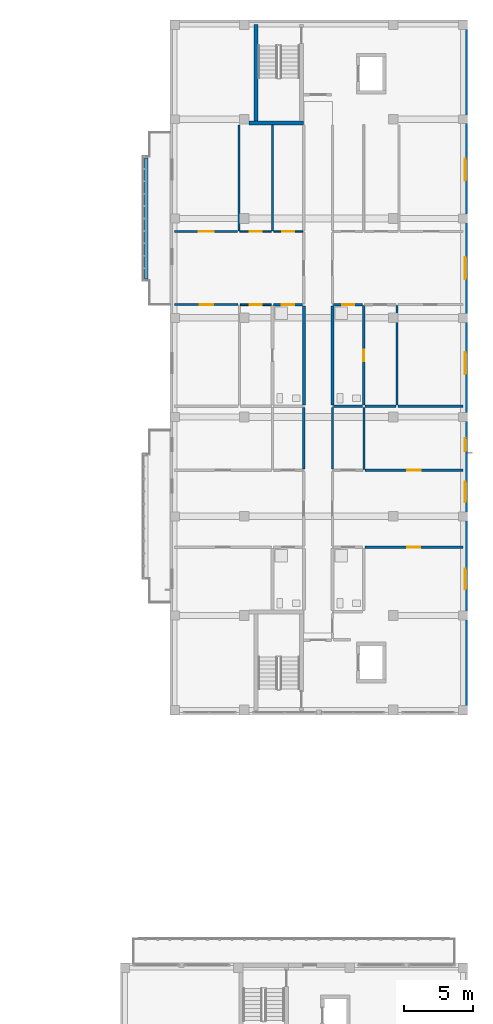
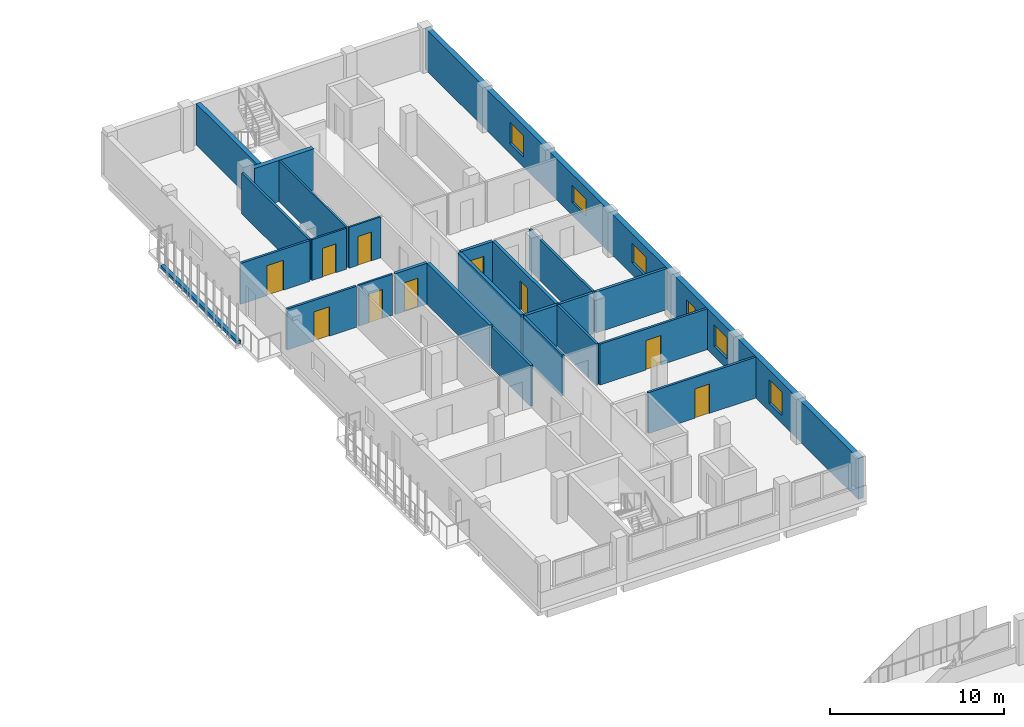
# One storey, part 35 of 51: 25 walls, 10 doors, 6 windows, 16 openings.
"""IFC4 building model written with IfcOpenShell, lengths in metres."""

from ifc_helpers import new_model, si_unit, derived_unit, direction, frame, frame_2d, origin, place, context, subcontext, project, spatial, rectangle, extrude, material, layer, layer_set, type_object, element, fill, save


model = new_model("IFC4")

# Units and contexts
model_context = context("Model", 3, precision=1e-05, world=origin(), true_north=direction((0.0, 1.0)))
body_context = subcontext(model_context, "Body", "Model", "MODEL_VIEW")
ifc_project = project(units=[si_unit("LENGTHUNIT", "METRE"), si_unit("AREAUNIT", "SQUARE_METRE"), si_unit("VOLUMEUNIT", "CUBIC_METRE"), si_unit("PLANEANGLEUNIT", "RADIAN"), si_unit("MASSUNIT", "GRAM", prefix="KILO"), derived_unit("THERMALTRANSMITTANCEUNIT", [(si_unit("MASSUNIT", "GRAM", prefix="KILO"), 1), (si_unit("TIMEUNIT", "SECOND"), -3), (si_unit("THERMODYNAMICTEMPERATUREUNIT", "KELVIN"), -1)])], contexts=[model_context])

# Site, building, storey
site_placement = place(None, origin())
site = spatial("IfcSite", under=ifc_project, at=site_placement, CompositionType="ELEMENT")
building_placement = place(site_placement, origin())
building = spatial("IfcBuilding", under=site, at=building_placement, Name="Ochrekiln Boulevard Commons", CompositionType="ELEMENT")
storey_placement = place(building_placement, frame((0.0, 0.0, 15.22509765625)))
storey = spatial("IfcBuildingStorey", under=building, at=storey_placement, Name="L04", CompositionType="ELEMENT", Elevation=15.22509765625)

# Wall, openings, windows
ifc_material_1 = material(Name="Iron-spot brown clinker brick masonry ASTM C216 Grade SW", Category="masonry")
ifc_layer_1 = layer(ifc_material_1, 0.340087890625)
ifc_layer_set_1 = layer_set([ifc_layer_1], Name="Iron-spot brown clinker brick masonry ASTM C216 Grade SW")
wall_type_1 = type_object("IfcWallType", Name="WL-EXT-IRON-340", PredefinedType="SOLIDWALL", material=ifc_layer_set_1)
wall_1_placement = place(storey_placement, frame((172.6298828125, 68.739990234375, 0.0), z_axis=(0.0, 0.0, 1.0), x_axis=(0.0, 1.0, 0.0)))
wall_1 = element("IfcWall", 1, at=wall_1_placement, inside=storey, type_object=wall_type_1, Name="Block B L04 E Exterior Wall", PredefinedType="SOLIDWALL", context=body_context, shape_type="SweptSolid", body=[
    extrude(rectangle(XDim=49.719970703125, YDim=0.340087890625, at=frame_2d((24.85986328125, 0.0))), origin(), (0.0, 0.0, 1.0), 2.889892578125),
])
opening_1_placement = place(wall_1_placement, frame((15.0849609375, 0.0, 0.705078125)))
opening_1 = element("IfcOpeningElement", 2, at=opening_1_placement, cuts=wall_1, Name="Opening W-28", PredefinedType="OPENING", context=body_context, shape_type="SweptSolid", body=[
    extrude(rectangle(XDim=1.47998046875, YDim=1.5, at=frame_2d((0.739990234375, 0.75))), frame((0.0, 0.179931640625, 0.0), z_axis=(0.0, -1.0, 0.0), x_axis=(1.0, 0.0, 0.0)), (0.0, 0.0, 1.0), 0.360107421875),
])
opening_2_placement = place(wall_1_placement, frame((8.758056640625, 0.0, 0.554931640625)))
opening_2 = element("IfcOpeningElement", 3, at=opening_2_placement, cuts=wall_1, Name="Opening W-29", PredefinedType="OPENING", context=body_context, shape_type="SweptSolid", body=[
    extrude(rectangle(XDim=1.47998046875, YDim=1.64990234375, at=frame_2d((0.739990234375, 0.824951171875))), frame((0.0, 0.179931640625, 0.0), z_axis=(0.0, -1.0, 0.0), x_axis=(1.0, 0.0, 0.0)), (0.0, 0.0, 1.0), 0.360107421875),
])
opening_3_placement = place(wall_1_placement, frame((18.760009765625, 0.0, 0.85009765625)))
opening_3 = element("IfcOpeningElement", 4, at=opening_3_placement, cuts=wall_1, Name="Opening W-01", PredefinedType="OPENING", context=body_context, shape_type="SweptSolid", body=[
    extrude(rectangle(XDim=0.949951171875, YDim=1.199951171875, at=frame_2d((0.47509765625, 0.60009765625))), frame((0.0, 0.179931640625, 0.0), z_axis=(0.0, -1.0, 0.0), x_axis=(1.0, 0.0, 0.0)), (0.0, 0.0, 1.0), 0.360107421875),
])
opening_4_placement = place(wall_1_placement, frame((31.260009765625, 0.0, 0.89990234375)))
opening_4 = element("IfcOpeningElement", 5, at=opening_4_placement, cuts=wall_1, Name="Opening W-31", PredefinedType="OPENING", context=body_context, shape_type="SweptSolid", body=[
    extrude(rectangle(XDim=1.60009765625, YDim=1.199951171875, at=frame_2d((0.800048828125, 0.60009765625))), frame((0.0, 0.179931640625, 0.0), z_axis=(0.0, -1.0, 0.0), x_axis=(1.0, 0.0, 0.0)), (0.0, 0.0, 1.0), 0.360107421875),
])
opening_5_placement = place(wall_1_placement, frame((24.362060546875, 0.0, 0.85498046875)))
opening_5 = element("IfcOpeningElement", 6, at=opening_5_placement, cuts=wall_1, Name="Opening W-32", PredefinedType="OPENING", context=body_context, shape_type="SweptSolid", body=[
    extrude(rectangle(XDim=1.60009765625, YDim=1.35009765625, at=frame_2d((0.800048828125, 0.675048828125))), frame((0.0, 0.179931640625, 0.0), z_axis=(0.0, -1.0, 0.0), x_axis=(1.0, 0.0, 0.0)), (0.0, 0.0, 1.0), 0.360107421875),
])
opening_6_placement = place(wall_1_placement, frame((38.39501953125, 0.0, 0.705078125)))
opening_6 = element("IfcOpeningElement", 7, at=opening_6_placement, cuts=wall_1, Name="Opening W-33", PredefinedType="OPENING", context=body_context, shape_type="SweptSolid", body=[
    extrude(rectangle(XDim=1.60009765625, YDim=1.5, at=frame_2d((0.800048828125, 0.75))), frame((0.0, 0.179931640625, 0.0), z_axis=(0.0, -1.0, 0.0), x_axis=(1.0, 0.0, 0.0)), (0.0, 0.0, 1.0), 0.360107421875),
])
ifc_material_2 = material(Name="Thermally broken aluminium-clad oak frame", Category="aluminium")
window_type_1 = type_object("IfcWindowType", Name="WIN-EXT-01", PartitioningType="SINGLE_PANEL", PredefinedType="WINDOW", material=ifc_material_2)
window_1_placement = place(opening_3_placement, origin())
window_1 = element("IfcWindow", 8, at=window_1_placement, inside=storey, type_object=window_type_1, Name="Block B L04 Punched Masonry Window W-01", OverallHeight=1.199951171875, OverallWidth=0.949951171875, PartitioningType="SINGLE_PANEL", PredefinedType="WINDOW", context=body_context, shape_type="SweptSolid", body=[
    extrude(rectangle(XDim=0.949951171875, YDim=1.199951171875, at=frame_2d((0.47509765625, 0.60009765625))), frame((0.0, 0.030029296875, 0.0), z_axis=(0.0, -1.0, 0.0), x_axis=(1.0, 0.0, 0.0)), (0.0, 0.0, 1.0), 0.06005859375),
])
fill(opening_3, window_1)
window_type_2 = type_object("IfcWindowType", Name="WIN-EXT-28", PartitioningType="SINGLE_PANEL", PredefinedType="WINDOW", material=ifc_material_2)
window_2_placement = place(opening_1_placement, origin())
window_2 = element("IfcWindow", 9, at=window_2_placement, inside=storey, type_object=window_type_2, Name="Block B L04 Punched Masonry Window W-28", OverallHeight=1.5, OverallWidth=1.47998046875, PartitioningType="SINGLE_PANEL", PredefinedType="WINDOW", context=body_context, shape_type="SweptSolid", body=[
    extrude(rectangle(XDim=1.47998046875, YDim=1.5, at=frame_2d((0.739990234375, 0.75))), frame((0.0, 0.030029296875, 0.0), z_axis=(0.0, -1.0, 0.0), x_axis=(1.0, 0.0, 0.0)), (0.0, 0.0, 1.0), 0.06005859375),
])
fill(opening_1, window_2)
window_type_3 = type_object("IfcWindowType", Name="WIN-EXT-29", PartitioningType="SINGLE_PANEL", PredefinedType="WINDOW", material=ifc_material_2)
window_3_placement = place(opening_2_placement, origin())
window_3 = element("IfcWindow", 10, at=window_3_placement, inside=storey, type_object=window_type_3, Name="Block B L04 Punched Masonry Window W-29", OverallHeight=1.64990234375, OverallWidth=1.47998046875, PartitioningType="SINGLE_PANEL", PredefinedType="WINDOW", context=body_context, shape_type="SweptSolid", body=[
    extrude(rectangle(XDim=1.47998046875, YDim=1.64990234375, at=frame_2d((0.739990234375, 0.824951171875))), frame((0.0, 0.030029296875, 0.0), z_axis=(0.0, -1.0, 0.0), x_axis=(1.0, 0.0, 0.0)), (0.0, 0.0, 1.0), 0.06005859375),
])
fill(opening_2, window_3)
window_type_4 = type_object("IfcWindowType", Name="WIN-EXT-31", PartitioningType="DOUBLE_PANEL_VERTICAL", PredefinedType="WINDOW", material=ifc_material_2)
window_4_placement = place(opening_4_placement, origin())
window_4 = element("IfcWindow", 11, at=window_4_placement, inside=storey, type_object=window_type_4, Name="Block B L04 Punched Masonry Window W-31", OverallHeight=1.199951171875, OverallWidth=1.60009765625, PartitioningType="DOUBLE_PANEL_VERTICAL", PredefinedType="WINDOW", context=body_context, shape_type="SweptSolid", body=[
    extrude(rectangle(XDim=1.60009765625, YDim=1.199951171875, at=frame_2d((0.800048828125, 0.60009765625))), frame((0.0, 0.030029296875, 0.0), z_axis=(0.0, -1.0, 0.0), x_axis=(1.0, 0.0, 0.0)), (0.0, 0.0, 1.0), 0.06005859375),
])
fill(opening_4, window_4)
window_type_5 = type_object("IfcWindowType", Name="WIN-EXT-32", PartitioningType="DOUBLE_PANEL_VERTICAL", PredefinedType="WINDOW", material=ifc_material_2)
window_5_placement = place(opening_5_placement, origin())
window_5 = element("IfcWindow", 12, at=window_5_placement, inside=storey, type_object=window_type_5, Name="Block B L04 Punched Masonry Window W-32", OverallHeight=1.35009765625, OverallWidth=1.60009765625, PartitioningType="DOUBLE_PANEL_VERTICAL", PredefinedType="WINDOW", context=body_context, shape_type="SweptSolid", body=[
    extrude(rectangle(XDim=1.60009765625, YDim=1.35009765625, at=frame_2d((0.800048828125, 0.675048828125))), frame((0.0, 0.030029296875, 0.0), z_axis=(0.0, -1.0, 0.0), x_axis=(1.0, 0.0, 0.0)), (0.0, 0.0, 1.0), 0.06005859375),
])
fill(opening_5, window_5)
window_type_6 = type_object("IfcWindowType", Name="WIN-EXT-33", PartitioningType="DOUBLE_PANEL_VERTICAL", PredefinedType="WINDOW", material=ifc_material_2)
window_6_placement = place(opening_6_placement, origin())
window_6 = element("IfcWindow", 13, at=window_6_placement, inside=storey, type_object=window_type_6, Name="Block B L04 Punched Masonry Window W-33", OverallHeight=1.5, OverallWidth=1.60009765625, PartitioningType="DOUBLE_PANEL_VERTICAL", PredefinedType="WINDOW", context=body_context, shape_type="SweptSolid", body=[
    extrude(rectangle(XDim=1.60009765625, YDim=1.5, at=frame_2d((0.800048828125, 0.75))), frame((0.0, 0.030029296875, 0.0), z_axis=(0.0, -1.0, 0.0), x_axis=(1.0, 0.0, 0.0)), (0.0, 0.0, 1.0), 0.06005859375),
])
fill(opening_6, window_6)

# Wall, opening, door
ifc_material_3 = material(Name="Moisture-resistant cementitious tile backer wall")
ifc_layer_2 = layer(ifc_material_3, 0.199951171875)
ifc_layer_set_2 = layer_set([ifc_layer_2], Name="Moisture-resistant cementitious tile backer wall")
wall_type_2 = type_object("IfcWallType", Name="WL-PLM-200", PredefinedType="PLUMBINGWALL", material=ifc_layer_set_2)
wall_2_placement = place(storey_placement, frame((158.719970703125, 98.14990234375, 0.0), z_axis=(0.0, 0.0, 1.0), x_axis=(1.0, 0.0, 0.0)))
wall_2 = element("IfcWall", 14, at=wall_2_placement, inside=storey, type_object=wall_type_2, Name="L04 Interior Wall W-PW200", PredefinedType="PLUMBINGWALL", context=body_context, shape_type="SweptSolid", body=[
    extrude(rectangle(XDim=2.10693359375, YDim=0.199951171875, at=frame_2d((1.053466796875, 0.0))), origin(), (0.0, 0.0, 1.0), 2.869873046875),
])
opening_7_placement = place(wall_2_placement, frame((0.60498046875, 0.0, 0.0)))
opening_7 = element("IfcOpeningElement", 15, at=opening_7_placement, cuts=wall_2, Name="Opening D-L04-595", PredefinedType="OPENING", context=body_context, shape_type="SweptSolid", body=[
    extrude(rectangle(XDim=0.889892578125, YDim=2.030029296875, at=frame_2d((0.44482421875, 1.01513671875))), frame((0.0, 0.10986328125, 0.0), z_axis=(0.0, -1.0, 0.0), x_axis=(1.0, 0.0, 0.0)), (0.0, 0.0, 1.0), 0.219970703125),
])
ifc_material_4 = material(Name="Solid core architectural oak door leaf")
door_type_1 = type_object("IfcDoorType", Name="DR-INT-BTH-089", OperationType="NOTDEFINED", PredefinedType="DOOR", material=ifc_material_4)
door_1_placement = place(opening_7_placement, frame((0.889892578125, 0.0, 0.0), z_axis=(0.0, 0.0, 1.0), x_axis=(-1.0, 0.0, 0.0)))
door_1 = element("IfcDoor", 16, at=door_1_placement, inside=storey, type_object=door_type_1, Name="L04 Interior Door to Apartment Bathroom", OperationType="SINGLE_SWING_LEFT", OverallHeight=2.030029296875, OverallWidth=0.889892578125, PredefinedType="DOOR", context=body_context, shape_type="SweptSolid", body=[
    extrude(rectangle(XDim=0.889892578125, YDim=2.030029296875, at=frame_2d((0.44482421875, 1.01513671875))), frame((0.0, 0.02490234375, 0.0), z_axis=(0.0, -1.0, 0.0), x_axis=(1.0, 0.0, 0.0)), (0.0, 0.0, 1.0), 0.050048828125),
])
fill(opening_7, door_1)

# Wall
wall_3_placement = place(storey_placement, frame((163.072998046875, 90.783935546875, 0.0), z_axis=(0.0, 0.0, 1.0), x_axis=(1.0, 0.0, 0.0)))
element("IfcWall", 17, at=wall_3_placement, inside=storey, type_object=wall_type_2, Name="L04 Interior Wall W-PW200", PredefinedType="PLUMBINGWALL", context=body_context, shape_type="SweptSolid", body=[
    extrude(rectangle(XDim=2.10693359375, YDim=0.199951171875, at=frame_2d((1.053466796875, 0.0))), origin(), (0.0, 0.0, 1.0), 2.869873046875),
])

# Wall, opening, door
wall_4_placement = place(storey_placement, frame((163.072998046875, 98.14990234375, 0.0), z_axis=(0.0, 0.0, 1.0), x_axis=(1.0, 0.0, 0.0)))
wall_4 = element("IfcWall", 18, at=wall_4_placement, inside=storey, type_object=wall_type_2, Name="L04 Interior Wall W-PW200", PredefinedType="PLUMBINGWALL", context=body_context, shape_type="SweptSolid", body=[
    extrude(rectangle(XDim=2.10693359375, YDim=0.199951171875, at=frame_2d((1.053466796875, 0.0))), origin(), (0.0, 0.0, 1.0), 2.869873046875),
])
opening_8_placement = place(wall_4_placement, frame((0.612060546875, 0.0, 0.0)))
opening_8 = element("IfcOpeningElement", 19, at=opening_8_placement, cuts=wall_4, Name="Opening D-L04-606", PredefinedType="OPENING", context=body_context, shape_type="SweptSolid", body=[
    extrude(rectangle(XDim=0.889892578125, YDim=2.030029296875, at=frame_2d((0.44482421875, 1.01513671875))), frame((0.0, 0.10986328125, 0.0), z_axis=(0.0, -1.0, 0.0), x_axis=(1.0, 0.0, 0.0)), (0.0, 0.0, 1.0), 0.219970703125),
])
door_2_placement = place(opening_8_placement, frame((0.889892578125, 0.0, 0.0), z_axis=(0.0, 0.0, 1.0), x_axis=(-1.0, 0.0, 0.0)))
door_2 = element("IfcDoor", 20, at=door_2_placement, inside=storey, type_object=door_type_1, Name="L04 Interior Door to Apartment Bathroom", OperationType="SINGLE_SWING_RIGHT", OverallHeight=2.030029296875, OverallWidth=0.889892578125, PredefinedType="DOOR", context=body_context, shape_type="SweptSolid", body=[
    extrude(rectangle(XDim=0.889892578125, YDim=2.030029296875, at=frame_2d((0.44482421875, 1.01513671875))), frame((0.0, 0.02490234375, 0.0), z_axis=(0.0, -1.0, 0.0), x_axis=(1.0, 0.0, 0.0)), (0.0, 0.0, 1.0), 0.050048828125),
])
fill(opening_8, door_2)

wall_5_placement = place(storey_placement, frame((165.260009765625, 90.8740234375, 0.0), z_axis=(0.0, 0.0, 1.0), x_axis=(0.0, 1.0, 0.0)))
wall_5 = element("IfcWall", 21, at=wall_5_placement, inside=storey, type_object=wall_type_2, Name="L04 Interior Wall W-PW200", PredefinedType="PLUMBINGWALL", context=body_context, shape_type="SweptSolid", body=[
    extrude(rectangle(XDim=7.216064453125, YDim=0.199951171875, at=frame_2d((3.60791015625, 0.0))), origin(), (0.0, 0.0, 1.0), 2.869873046875),
])
opening_9_placement = place(wall_5_placement, frame((3.173095703125, 0.0, 0.0)))
opening_9 = element("IfcOpeningElement", 22, at=opening_9_placement, cuts=wall_5, Name="Opening D-L04-612", PredefinedType="OPENING", context=body_context, shape_type="SweptSolid", body=[
    extrude(rectangle(XDim=0.85009765625, YDim=2.010009765625, at=frame_2d((0.425048828125, 1.0048828125))), frame((0.0, 0.10986328125, 0.0), z_axis=(0.0, -1.0, 0.0), x_axis=(1.0, 0.0, 0.0)), (0.0, 0.0, 1.0), 0.219970703125),
])
door_type_2 = type_object("IfcDoorType", Name="DR-INT-KIT-085", OperationType="NOTDEFINED", PredefinedType="DOOR", material=ifc_material_4)
door_3_placement = place(opening_9_placement, origin())
door_3 = element("IfcDoor", 23, at=door_3_placement, inside=storey, type_object=door_type_2, Name="L04 Interior Door to Apartment Bathroom", OperationType="SINGLE_SWING_RIGHT", OverallHeight=2.010009765625, OverallWidth=0.85009765625, PredefinedType="DOOR", context=body_context, shape_type="SweptSolid", body=[
    extrude(rectangle(XDim=0.85009765625, YDim=2.010009765625, at=frame_2d((0.425048828125, 1.0048828125))), frame((0.0, 0.02490234375, 0.0), z_axis=(0.0, -1.0, 0.0), x_axis=(1.0, 0.0, 0.0)), (0.0, 0.0, 1.0), 0.050048828125),
])
fill(opening_9, door_3)

# Walls
ifc_layer_3 = layer(ifc_material_3, 0.219970703125)
ifc_layer_set_3 = layer_set([ifc_layer_3], Name="Moisture-resistant cementitious tile backer wall")
wall_type_3 = type_object("IfcWallType", Name="WL-PLM-220", PredefinedType="PLUMBINGWALL", material=ifc_layer_set_3)
for number, where, z_axis, x_axis, name in (
    (24, (160.909912109375, 90.8740234375, 0.0), (0.0, 0.0, 1.0), (0.0, 1.0, 0.0), "L04 Interior Wall W-PW220"),
    (25, (162.989990234375, 90.8740234375, 0.0), (0.0, 0.0, 1.0), (0.0, 1.0, 0.0), "L04 Interior Wall W-PW220"),
):
    element("IfcWall", number, at=place(storey_placement, frame(where, z_axis=z_axis, x_axis=x_axis)), inside=storey, type_object=wall_type_3, Name=name, PredefinedType="PLUMBINGWALL", context=body_context, shape_type="SweptSolid", body=[
        extrude(rectangle(XDim=7.196044921875, YDim=0.219970703125, at=frame_2d((3.59814453125, 0.0))), origin(), (0.0, 0.0, 1.0), 2.869873046875),
    ])
ifc_material_5 = material(Name="Glazed architectural terracotta ASTM C1405", Category="masonry")
ifc_layer_4 = layer(ifc_material_5, 0.25)
ifc_layer_set_4 = layer_set([ifc_layer_4], Name="Glazed architectural terracotta ASTM C1405")
wall_type_4 = type_object("IfcWallType", Name="WL-PLN-250", PredefinedType="PARAPET", material=ifc_layer_set_4)
wall_6_placement = place(storey_placement, frame((149.47998046875, 100.010009765625, 0.0), z_axis=(0.0, 0.0, 1.0), x_axis=(0.0, 1.0, 0.0)))
element("IfcWall", 26, at=wall_6_placement, inside=storey, type_object=wall_type_4, Name="Block B L04 Balcony Terracotta Planter Box 2", PredefinedType="PARAPET", context=body_context, shape_type="SweptSolid", body=[
    extrude(rectangle(XDim=8.780029296875, YDim=0.25, at=frame_2d((4.39013671875, 0.0))), origin(), (0.0, 0.0, 1.0), 0.22998046875),
])
ifc_material_6 = material(Name="Fire-rated Type X gypsum board on steel studs", Category="steel")
ifc_layer_5 = layer(ifc_material_6, 0.1650390625)
ifc_layer_set_5 = layer_set([ifc_layer_5], Name="Fire-rated Type X gypsum board on steel studs")
wall_type_5 = type_object("IfcWallType", Name="WL-PT-CORR-165", PredefinedType="PARTITIONING", material=ifc_layer_set_5)
for number, where, z_axis, x_axis, name in (
    (27, (160.909912109375, 86.218994140625, 0.0), (0.0, 0.0, 1.0), (0.0, 1.0, 0.0), "L04 Interior Wall W-PC165"),
    (28, (162.989990234375, 86.218994140625, 0.0), (0.0, 0.0, 1.0), (0.0, 1.0, 0.0), "L04 Interior Wall W-PC165"),
):
    element("IfcWall", number, at=place(storey_placement, frame(where, z_axis=z_axis, x_axis=x_axis)), inside=storey, type_object=wall_type_5, Name=name, PredefinedType="PARTITIONING", context=body_context, shape_type="SweptSolid", body=[
        extrude(rectangle(XDim=4.47509765625, YDim=0.1650390625, at=frame_2d((2.237548828125, 0.0))), origin(), (0.0, 0.0, 1.0), 2.869873046875),
    ])
ifc_layer_6 = layer(ifc_material_6, 0.179931640625)
ifc_layer_set_6 = layer_set([ifc_layer_6], Name="Fire-rated Type X gypsum board on steel studs")
wall_type_6 = type_object("IfcWallType", Name="WL-PT-DEM-180", PredefinedType="PARTITIONING", material=ifc_layer_set_6)
wall_7_placement = place(storey_placement, frame((167.75, 90.783935546875, 0.0), z_axis=(0.0, 0.0, 1.0), x_axis=(1.0, 0.0, 0.0)))
element("IfcWall", 29, at=wall_7_placement, inside=storey, type_object=wall_type_6, Name="L04 Interior Wall W-PD180", PredefinedType="PARTITIONING", context=body_context, shape_type="SweptSolid", body=[
    extrude(rectangle(XDim=4.7099609375, YDim=0.179931640625, at=frame_2d((2.35498046875, 0.0))), origin(), (0.0, 0.0, 1.0), 2.869873046875),
])
wall_8_placement = place(storey_placement, frame((165.3349609375, 90.783935546875, 0.0), z_axis=(0.0, 0.0, 1.0), x_axis=(1.0, 0.0, 0.0)))
element("IfcWall", 30, at=wall_8_placement, inside=storey, type_object=wall_type_6, Name="L04 Interior Wall W-PD180", PredefinedType="PARTITIONING", context=body_context, shape_type="SweptSolid", body=[
    extrude(rectangle(XDim=2.255126953125, YDim=0.179931640625, at=frame_2d((1.12744140625, 0.0))), origin(), (0.0, 0.0, 1.0), 2.869873046875),
])

# Wall, opening, door
ifc_layer_7 = layer(ifc_material_6, 0.1201171875)
ifc_layer_set_7 = layer_set([ifc_layer_7], Name="Fire-rated Type X gypsum board on steel studs")
wall_type_7 = type_object("IfcWallType", Name="WL-PT-LGT-120", PredefinedType="PARTITIONING", material=ifc_layer_set_7)
wall_9_placement = place(storey_placement, frame((158.719970703125, 103.449951171875, 0.0), z_axis=(0.0, 0.0, 1.0), x_axis=(1.0, 0.0, 0.0)))
wall_9 = element("IfcWall", 31, at=wall_9_placement, inside=storey, type_object=wall_type_7, Name="L04 Interior Wall W-PL120", PredefinedType="PARTITIONING", context=body_context, shape_type="SweptSolid", body=[
    extrude(rectangle(XDim=2.10693359375, YDim=0.1201171875, at=frame_2d((1.053466796875, 0.0))), origin(), (0.0, 0.0, 1.0), 2.869873046875),
])
opening_10_placement = place(wall_9_placement, frame((0.610107421875, 0.0, 0.0)))
opening_10 = element("IfcOpeningElement", 32, at=opening_10_placement, cuts=wall_9, Name="Opening D-L04-596", PredefinedType="OPENING", context=body_context, shape_type="SweptSolid", body=[
    extrude(rectangle(XDim=0.8798828125, YDim=2.02001953125, at=frame_2d((0.43994140625, 1.010009765625))), frame((0.0, 0.070068359375, 0.0), z_axis=(0.0, -1.0, 0.0), x_axis=(1.0, 0.0, 0.0)), (0.0, 0.0, 1.0), 0.14013671875),
])
door_type_3 = type_object("IfcDoorType", Name="DR-INT-KIT-088", OperationType="NOTDEFINED", PredefinedType="DOOR", material=ifc_material_4)
door_4_placement = place(opening_10_placement, origin())
door_4 = element("IfcDoor", 33, at=door_4_placement, inside=storey, type_object=door_type_3, Name="L04 Interior Door to Apartment Kitchen", OperationType="SINGLE_SWING_RIGHT", OverallHeight=2.02001953125, OverallWidth=0.8798828125, PredefinedType="DOOR", context=body_context, shape_type="SweptSolid", body=[
    extrude(rectangle(XDim=0.8798828125, YDim=2.02001953125, at=frame_2d((0.43994140625, 1.010009765625))), frame((0.0, 0.02490234375, 0.0), z_axis=(0.0, -1.0, 0.0), x_axis=(1.0, 0.0, 0.0)), (0.0, 0.0, 1.0), 0.050048828125),
])
fill(opening_10, door_4)

wall_10_placement = place(storey_placement, frame((156.31005859375, 98.14990234375, 0.0), z_axis=(0.0, 0.0, 1.0), x_axis=(1.0, 0.0, 0.0)))
wall_10 = element("IfcWall", 34, at=wall_10_placement, inside=storey, type_object=wall_type_7, Name="L04 Interior Wall W-PL120", PredefinedType="PARTITIONING", context=body_context, shape_type="SweptSolid", body=[
    extrude(rectangle(XDim=2.25, YDim=0.1201171875, at=frame_2d((1.125, 0.0))), origin(), (0.0, 0.0, 1.0), 2.869873046875),
])
opening_11_placement = place(wall_10_placement, frame((0.68505859375, 0.0, 0.0)))
opening_11 = element("IfcOpeningElement", 35, at=opening_11_placement, cuts=wall_10, Name="Opening D-L04-598", PredefinedType="OPENING", context=body_context, shape_type="SweptSolid", body=[
    extrude(rectangle(XDim=0.8798828125, YDim=2.02001953125, at=frame_2d((0.43994140625, 1.010009765625))), frame((0.0, 0.070068359375, 0.0), z_axis=(0.0, -1.0, 0.0), x_axis=(1.0, 0.0, 0.0)), (0.0, 0.0, 1.0), 0.14013671875),
])
door_5_placement = place(opening_11_placement, frame((0.8798828125, 0.0, 0.0), z_axis=(0.0, 0.0, 1.0), x_axis=(-1.0, 0.0, 0.0)))
door_5 = element("IfcDoor", 36, at=door_5_placement, inside=storey, type_object=door_type_3, Name="L04 Interior Door to Apartment Walk-In Wardrobe", OperationType="SINGLE_SWING_RIGHT", OverallHeight=2.02001953125, OverallWidth=0.8798828125, PredefinedType="DOOR", context=body_context, shape_type="SweptSolid", body=[
    extrude(rectangle(XDim=0.8798828125, YDim=2.02001953125, at=frame_2d((0.43994140625, 1.010009765625))), frame((0.0, 0.02490234375, 0.0), z_axis=(0.0, -1.0, 0.0), x_axis=(1.0, 0.0, 0.0)), (0.0, 0.0, 1.0), 0.050048828125),
])
fill(opening_11, door_5)

wall_11_placement = place(storey_placement, frame((156.27294921875, 103.449951171875, 0.0), z_axis=(0.0, 0.0, 1.0), x_axis=(1.0, 0.0, 0.0)))
wall_11 = element("IfcWall", 37, at=wall_11_placement, inside=storey, type_object=wall_type_7, Name="L04 Interior Wall W-PL120", PredefinedType="PARTITIONING", context=body_context, shape_type="SweptSolid", body=[
    extrude(rectangle(XDim=2.287109375, YDim=0.1201171875, at=frame_2d((1.1435546875, 0.0))), origin(), (0.0, 0.0, 1.0), 2.869873046875),
])
opening_12_placement = place(wall_11_placement, frame((0.702880859375, 0.0, 0.0)))
opening_12 = element("IfcOpeningElement", 38, at=opening_12_placement, cuts=wall_11, Name="Opening D-L04-600", PredefinedType="OPENING", context=body_context, shape_type="SweptSolid", body=[
    extrude(rectangle(XDim=0.8798828125, YDim=2.02001953125, at=frame_2d((0.43994140625, 1.010009765625))), frame((0.0, 0.070068359375, 0.0), z_axis=(0.0, -1.0, 0.0), x_axis=(1.0, 0.0, 0.0)), (0.0, 0.0, 1.0), 0.14013671875),
])
door_6_placement = place(opening_12_placement, origin())
door_6 = element("IfcDoor", 39, at=door_6_placement, inside=storey, type_object=door_type_3, Name="L04 Interior Door to Apartment Walk-In Wardrobe", OperationType="SINGLE_SWING_RIGHT", OverallHeight=2.02001953125, OverallWidth=0.8798828125, PredefinedType="DOOR", context=body_context, shape_type="SweptSolid", body=[
    extrude(rectangle(XDim=0.8798828125, YDim=2.02001953125, at=frame_2d((0.43994140625, 1.010009765625))), frame((0.0, 0.02490234375, 0.0), z_axis=(0.0, -1.0, 0.0), x_axis=(1.0, 0.0, 0.0)), (0.0, 0.0, 1.0), 0.050048828125),
])
fill(opening_12, door_6)

# Wall
wall_12_placement = place(storey_placement, frame((158.639892578125, 103.510009765625, 0.0), z_axis=(0.0, 0.0, 1.0), x_axis=(0.0, 1.0, 0.0)))
element("IfcWall", 40, at=wall_12_placement, inside=storey, type_object=wall_type_7, Name="L04 Interior Wall W-PL120", PredefinedType="PARTITIONING", context=body_context, shape_type="SweptSolid", body=[
    extrude(rectangle(XDim=7.68994140625, YDim=0.1201171875, at=frame_2d((3.844970703125, 0.0))), origin(), (0.0, 0.0, 1.0), 2.869873046875),
])

# Wall, opening, door
ifc_layer_8 = layer(ifc_material_6, 0.14990234375)
ifc_layer_set_8 = layer_set([ifc_layer_8], Name="Fire-rated Type X gypsum board on steel studs")
wall_type_8 = type_object("IfcWallType", Name="WL-PT-STD-150", PredefinedType="PARTITIONING", material=ifc_layer_set_8)
wall_13_placement = place(storey_placement, frame((151.5400390625, 98.14990234375, 0.0), z_axis=(0.0, 0.0, 1.0), x_axis=(1.0, 0.0, 0.0)))
wall_13 = element("IfcWall", 41, at=wall_13_placement, inside=storey, type_object=wall_type_8, Name="L04 Interior Wall W-PS150", PredefinedType="PARTITIONING", context=body_context, shape_type="SweptSolid", body=[
    extrude(rectangle(XDim=4.60986328125, YDim=0.14990234375, at=frame_2d((2.304931640625, 0.0))), origin(), (0.0, 0.0, 1.0), 2.869873046875),
])
opening_13_placement = place(wall_13_placement, frame((1.81005859375, 0.0, 0.0)))
opening_13 = element("IfcOpeningElement", 42, at=opening_13_placement, cuts=wall_13, Name="Opening D-L04-597", PredefinedType="OPENING", context=body_context, shape_type="SweptSolid", body=[
    extrude(rectangle(XDim=1.0, YDim=2.06005859375, at=frame_2d((0.5, 1.030029296875))), frame((0.0, 0.0849609375, 0.0), z_axis=(0.0, -1.0, 0.0), x_axis=(1.0, 0.0, 0.0)), (0.0, 0.0, 1.0), 0.169921875),
])
door_type_4 = type_object("IfcDoorType", Name="DR-INT-BED-100", OperationType="NOTDEFINED", PredefinedType="DOOR", material=ifc_material_4)
door_7_placement = place(opening_13_placement, frame((1.0, 0.0, 0.0), z_axis=(0.0, 0.0, 1.0), x_axis=(-1.0, 0.0, 0.0)))
door_7 = element("IfcDoor", 43, at=door_7_placement, inside=storey, type_object=door_type_4, Name="L04 Interior Door to Primary Apartment Bedroom", OperationType="SINGLE_SWING_LEFT", OverallHeight=2.06005859375, OverallWidth=1.0, PredefinedType="DOOR", context=body_context, shape_type="SweptSolid", body=[
    extrude(rectangle(XDim=1.0, YDim=2.06005859375, at=frame_2d((0.5, 1.030029296875))), frame((0.0, 0.02490234375, 0.0), z_axis=(0.0, -1.0, 0.0), x_axis=(1.0, 0.0, 0.0)), (0.0, 0.0, 1.0), 0.050048828125),
])
fill(opening_13, door_7)

wall_14_placement = place(storey_placement, frame((151.5400390625, 103.449951171875, 0.0), z_axis=(0.0, 0.0, 1.0), x_axis=(1.0, 0.0, 0.0)))
wall_14 = element("IfcWall", 44, at=wall_14_placement, inside=storey, type_object=wall_type_8, Name="L04 Interior Wall W-PS150", PredefinedType="PARTITIONING", context=body_context, shape_type="SweptSolid", body=[
    extrude(rectangle(XDim=4.572998046875, YDim=0.14990234375, at=frame_2d((2.28662109375, 0.0))), origin(), (0.0, 0.0, 1.0), 2.869873046875),
])
opening_14_placement = place(wall_14_placement, frame((1.751953125, 0.0, 0.0)))
opening_14 = element("IfcOpeningElement", 45, at=opening_14_placement, cuts=wall_14, Name="Opening D-L04-599", PredefinedType="OPENING", context=body_context, shape_type="SweptSolid", body=[
    extrude(rectangle(XDim=1.080078125, YDim=2.10009765625, at=frame_2d((0.5400390625, 1.050048828125))), frame((0.0, 0.0849609375, 0.0), z_axis=(0.0, -1.0, 0.0), x_axis=(1.0, 0.0, 0.0)), (0.0, 0.0, 1.0), 0.169921875),
])
door_type_5 = type_object("IfcDoorType", Name="DR-INT-BED-108", OperationType="NOTDEFINED", PredefinedType="DOOR", material=ifc_material_4)
door_8_placement = place(opening_14_placement, origin())
door_8 = element("IfcDoor", 46, at=door_8_placement, inside=storey, type_object=door_type_5, Name="L04 Interior Door to Secondary Apartment Bedroom", OperationType="SINGLE_SWING_LEFT", OverallHeight=2.10009765625, OverallWidth=1.080078125, PredefinedType="DOOR", context=body_context, shape_type="SweptSolid", body=[
    extrude(rectangle(XDim=1.080078125, YDim=2.10009765625, at=frame_2d((0.5400390625, 1.050048828125))), frame((0.0, 0.02490234375, 0.0), z_axis=(0.0, -1.0, 0.0), x_axis=(1.0, 0.0, 0.0)), (0.0, 0.0, 1.0), 0.050048828125),
])
fill(opening_14, door_8)

# Wall
wall_15_placement = place(storey_placement, frame((156.193115234375, 103.510009765625, 0.0), z_axis=(0.0, 0.0, 1.0), x_axis=(0.0, 1.0, 0.0)))
element("IfcWall", 47, at=wall_15_placement, inside=storey, type_object=wall_type_8, Name="L04 Interior Wall W-PS150", PredefinedType="PARTITIONING", context=body_context, shape_type="SweptSolid", body=[
    extrude(rectangle(XDim=7.68994140625, YDim=0.14990234375, at=frame_2d((3.844970703125, 0.0))), origin(), (0.0, 0.0, 1.0), 2.869873046875),
])

# Wall, opening, door
wall_16_placement = place(storey_placement, frame((165.340087890625, 80.554931640625, 0.0), z_axis=(0.0, 0.0, 1.0), x_axis=(1.0, 0.0, 0.0)))
wall_16 = element("IfcWall", 48, at=wall_16_placement, inside=storey, type_object=wall_type_8, Name="L04 Interior Wall W-PS150", PredefinedType="PARTITIONING", context=body_context, shape_type="SweptSolid", body=[
    extrude(rectangle(XDim=7.119873046875, YDim=0.14990234375, at=frame_2d((3.56005859375, 0.0))), origin(), (0.0, 0.0, 1.0), 2.869873046875),
])
opening_15_placement = place(wall_16_placement, frame((3.0849609375, 0.0, 0.0)))
opening_15 = element("IfcOpeningElement", 49, at=opening_15_placement, cuts=wall_16, Name="Opening D-L04-604", PredefinedType="OPENING", context=body_context, shape_type="SweptSolid", body=[
    extrude(rectangle(XDim=0.93994140625, YDim=2.06005859375, at=frame_2d((0.469970703125, 1.030029296875))), frame((0.0, 0.0849609375, 0.0), z_axis=(0.0, -1.0, 0.0), x_axis=(1.0, 0.0, 0.0)), (0.0, 0.0, 1.0), 0.169921875),
])
door_type_6 = type_object("IfcDoorType", Name="DR-INT-BED-094", OperationType="NOTDEFINED", PredefinedType="DOOR", material=ifc_material_4)
door_9_placement = place(opening_15_placement, frame((0.93994140625, 0.0, 0.0), z_axis=(0.0, 0.0, 1.0), x_axis=(-1.0, 0.0, 0.0)))
door_9 = element("IfcDoor", 50, at=door_9_placement, inside=storey, type_object=door_type_6, Name="L04 Interior Door to Primary Apartment Bedroom", OperationType="SINGLE_SWING_RIGHT", OverallHeight=2.06005859375, OverallWidth=0.93994140625, PredefinedType="DOOR", context=body_context, shape_type="SweptSolid", body=[
    extrude(rectangle(XDim=0.93994140625, YDim=2.06005859375, at=frame_2d((0.469970703125, 1.030029296875))), frame((0.0, 0.02490234375, 0.0), z_axis=(0.0, -1.0, 0.0), x_axis=(1.0, 0.0, 0.0)), (0.0, 0.0, 1.0), 0.050048828125),
])
fill(opening_15, door_9)

wall_17_placement = place(storey_placement, frame((165.340087890625, 86.138916015625, 0.0), z_axis=(0.0, 0.0, 1.0), x_axis=(1.0, 0.0, 0.0)))
wall_17 = element("IfcWall", 51, at=wall_17_placement, inside=storey, type_object=wall_type_8, Name="L04 Interior Wall W-PS150", PredefinedType="PARTITIONING", context=body_context, shape_type="SweptSolid", body=[
    extrude(rectangle(XDim=7.119873046875, YDim=0.14990234375, at=frame_2d((3.56005859375, 0.0))), origin(), (0.0, 0.0, 1.0), 2.869873046875),
])
opening_16_placement = place(wall_17_placement, frame((3.054931640625, 0.0, 0.0)))
opening_16 = element("IfcOpeningElement", 52, at=opening_16_placement, cuts=wall_17, Name="Opening D-L04-605", PredefinedType="OPENING", context=body_context, shape_type="SweptSolid", body=[
    extrude(rectangle(XDim=1.0, YDim=2.06005859375, at=frame_2d((0.5, 1.030029296875))), frame((0.0, 0.0849609375, 0.0), z_axis=(0.0, -1.0, 0.0), x_axis=(1.0, 0.0, 0.0)), (0.0, 0.0, 1.0), 0.169921875),
])
door_10_placement = place(opening_16_placement, origin())
door_10 = element("IfcDoor", 53, at=door_10_placement, inside=storey, type_object=door_type_4, Name="L04 Interior Door to Secondary Apartment Bedroom", OperationType="SINGLE_SWING_LEFT", OverallHeight=2.06005859375, OverallWidth=1.0, PredefinedType="DOOR", context=body_context, shape_type="SweptSolid", body=[
    extrude(rectangle(XDim=1.0, YDim=2.06005859375, at=frame_2d((0.5, 1.030029296875))), frame((0.0, 0.02490234375, 0.0), z_axis=(0.0, -1.0, 0.0), x_axis=(1.0, 0.0, 0.0)), (0.0, 0.0, 1.0), 0.050048828125),
])
fill(opening_16, door_10)

# Walls
wall_18_placement = place(storey_placement, frame((165.260009765625, 86.198974609375, 0.0), z_axis=(0.0, 0.0, 1.0), x_axis=(0.0, 1.0, 0.0)))
element("IfcWall", 54, at=wall_18_placement, inside=storey, type_object=wall_type_8, Name="L04 Interior Wall W-PS150", PredefinedType="PARTITIONING", context=body_context, shape_type="SweptSolid", body=[
    extrude(rectangle(XDim=4.4951171875, YDim=0.14990234375, at=frame_2d((2.24755859375, 0.0))), origin(), (0.0, 0.0, 1.0), 2.869873046875),
])
wall_19_placement = place(storey_placement, frame((167.669921875, 90.8740234375, 0.0), z_axis=(0.0, 0.0, 1.0), x_axis=(0.0, 1.0, 0.0)))
element("IfcWall", 55, at=wall_19_placement, inside=storey, type_object=wall_type_8, Name="L04 Interior Wall W-PS150", PredefinedType="PARTITIONING", context=body_context, shape_type="SweptSolid", body=[
    extrude(rectangle(XDim=7.200927734375, YDim=0.14990234375, at=frame_2d((3.6005859375, 0.0))), origin(), (0.0, 0.0, 1.0), 2.869873046875),
])
ifc_material_7 = material(Name="Concrete C40/50", Category="concrete")
ifc_layer_9 = layer(ifc_material_7, 0.300048828125)
ifc_layer_set_9 = layer_set([ifc_layer_9], Name="Concrete C40/50")
wall_type_9 = type_object("IfcWallType", Name="WL-SH-300", PredefinedType="SHEAR", material=ifc_layer_set_9)
wall_20_placement = place(storey_placement, frame((156.949951171875, 111.330078125, 0.0), z_axis=(0.0, 0.0, 1.0), x_axis=(1.0, 0.0, 0.0)))
element("IfcWall", 56, at=wall_20_placement, inside=storey, type_object=wall_type_9, Name="Stair ST-B2 L04 Core Shear Wall S", PredefinedType="SHEAR", context=body_context, shape_type="SweptSolid", body=[
    extrude(rectangle(XDim=3.949951171875, YDim=0.300048828125, at=frame_2d((1.97509765625, 0.0))), origin(), (0.0, 0.0, 1.0), 2.889892578125),
])
wall_21_placement = place(storey_placement, frame((157.449951171875, 111.47998046875, 0.0), z_axis=(0.0, 0.0, 1.0), x_axis=(0.0, 1.0, 0.0)))
element("IfcWall", 57, at=wall_21_placement, inside=storey, type_object=wall_type_9, Name="Stair ST-B2 L04 Core Shear Wall W", PredefinedType="SHEAR", context=body_context, shape_type="SweptSolid", body=[
    extrude(rectangle(XDim=7.0, YDim=0.300048828125, at=frame_2d((3.5, 0.0))), origin(), (0.0, 0.0, 1.0), 2.889892578125),
])

save(model, "model.ifc")
